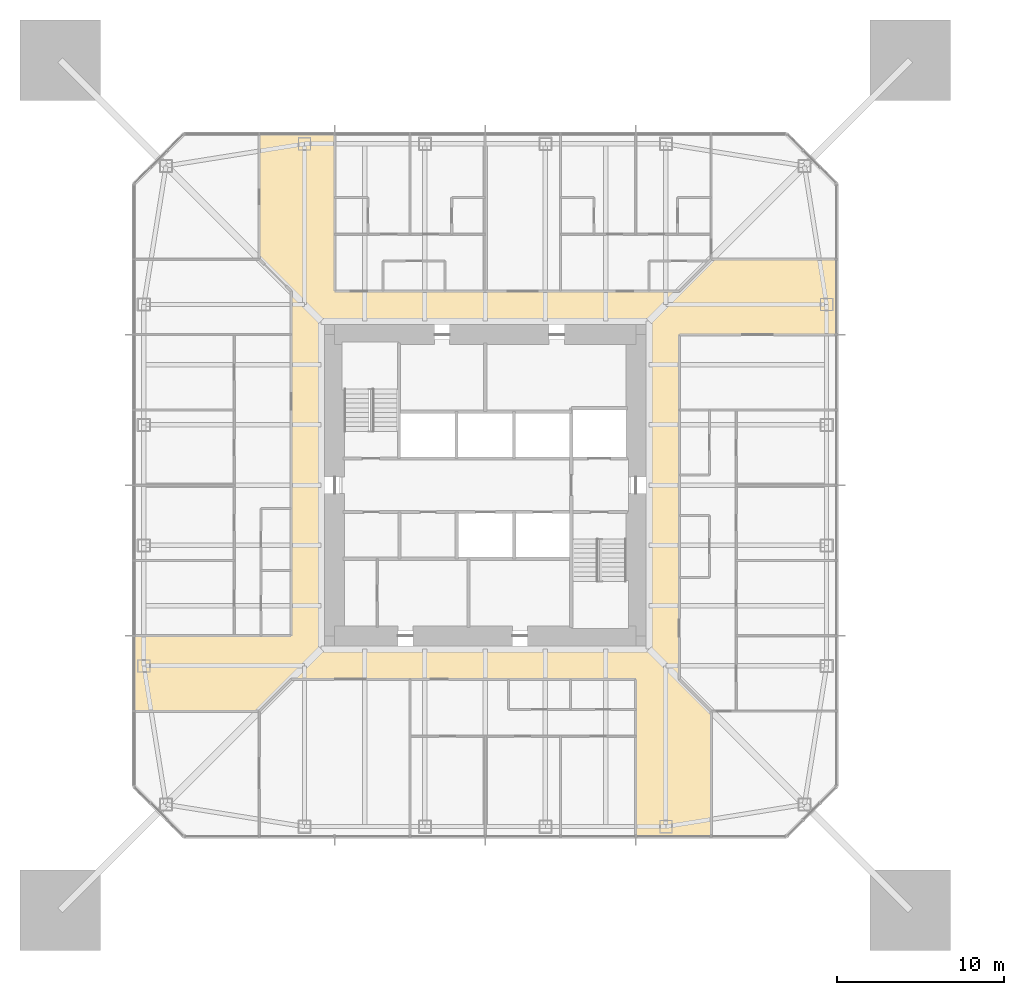
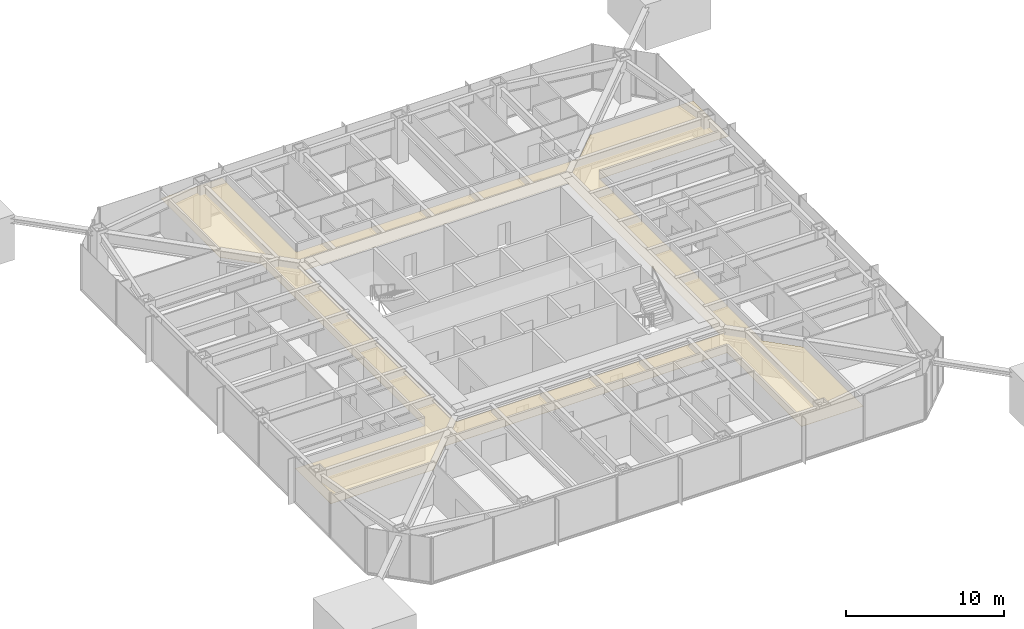
# One storey, part 22 of 25: 1 covering.
"""IFC4 building model written with IfcOpenShell, lengths in metres."""

from ifc_helpers import new_model, si_unit, direction, frame, origin, place, context, subcontext, project, spatial, polyline, outline, extrude, material, layer, layer_set, type_object, element, save


model = new_model("IFC4")

# Units and contexts
model_context = context("Model", 3, precision=1e-05, world=origin(), true_north=direction((0.0, 1.0)))
body_context = subcontext(model_context, "Body", "Model", "MODEL_VIEW")
ifc_project = project(units=[si_unit("LENGTHUNIT", "METRE"), si_unit("AREAUNIT", "SQUARE_METRE"), si_unit("VOLUMEUNIT", "CUBIC_METRE"), si_unit("PLANEANGLEUNIT", "RADIAN"), si_unit("MASSUNIT", "GRAM", prefix="KILO")], contexts=[model_context])

# Site, building, storey
site_placement = place(None, origin())
site = spatial("IfcSite", under=ifc_project, at=site_placement, CompositionType="ELEMENT")
building_placement = place(site_placement, origin())
building = spatial("IfcBuilding", under=site, at=building_placement, Name="Iwan Alto Co-Living Towers", CompositionType="ELEMENT")
storey_placement = place(building_placement, frame((0.0, 0.0, 112.0)))
storey = spatial("IfcBuildingStorey", under=building, at=storey_placement, Name="L30", CompositionType="ELEMENT", Elevation=112.0)

# Covering
ifc_material = material(Name="Gypsum plasterboard on steel grid", Category="steel")
ifc_layer = layer(ifc_material, 0.014892578125)
ifc_layer_set = layer_set([ifc_layer], Name="SUSPENDED PLASTERBOARD CEILING 15")
covering_type = type_object("IfcCoveringType", Name="SUSPENDED PLASTERBOARD CEILING 15", PredefinedType="CEILING", material=ifc_layer_set)
covering_placement = place(storey_placement, frame((0.0, 0.0, 2.60009765625)))
element("IfcCovering", 1, at=covering_placement, inside=storey, type_object=covering_type, Name="Ceiling Corridor L30", PredefinedType="CEILING", context=body_context, shape_type="SweptSolid", body=[
    extrude(outline(polyline([(13.5, -21.0), (9.0, -21.0), (9.0, -11.60009765625), (-11.60009765625, -11.60009765625), (-13.5, -13.5), (-21.0, -13.5), (-21.0, -9.0), (-11.60009765625, -9.0), (-11.60009765625, 11.60009765625), (-13.5, 13.5), (-13.5, 21.0), (-9.0, 21.0), (-9.0, 11.60009765625), (11.60009765625, 11.60009765625), (13.5, 13.5), (21.0, 13.5), (21.0, 9.0), (11.60009765625, 9.0), (11.60009765625, -11.60009765625), (13.5, -13.5), (13.5, -21.0)]), holes=[polyline([(9.60009765625, -9.60009765625), (9.60009765625, 9.60009765625), (-9.60009765625, 9.60009765625), (-9.60009765625, -9.60009765625), (9.60009765625, -9.60009765625)])]), origin(), (0.0, 0.0, 1.0), 0.014892578125),
])

save(model, "model.ifc")
